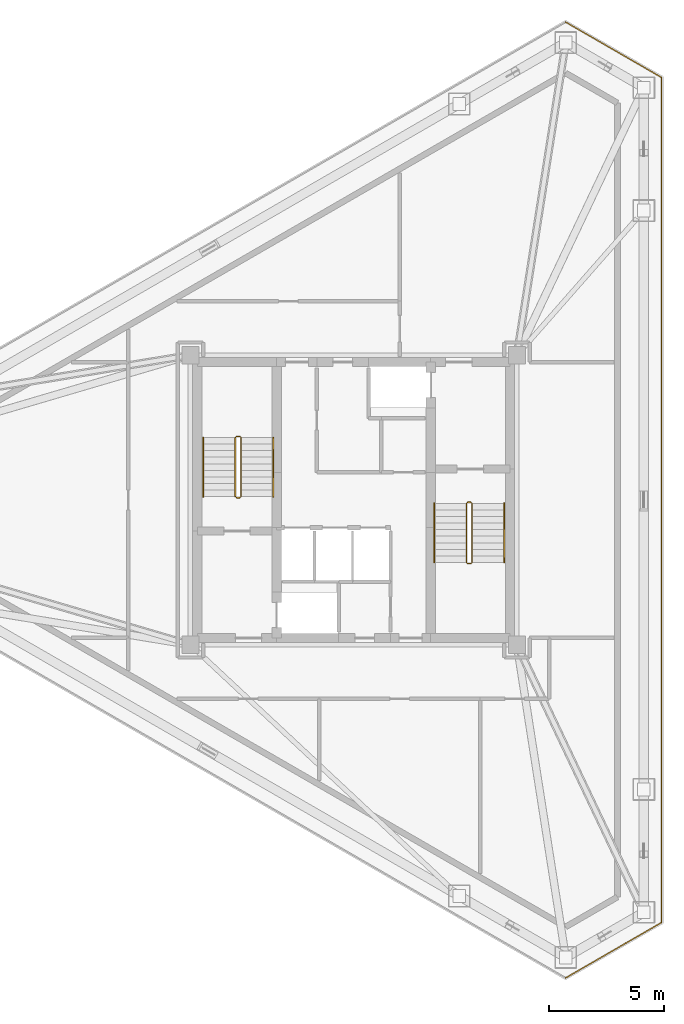
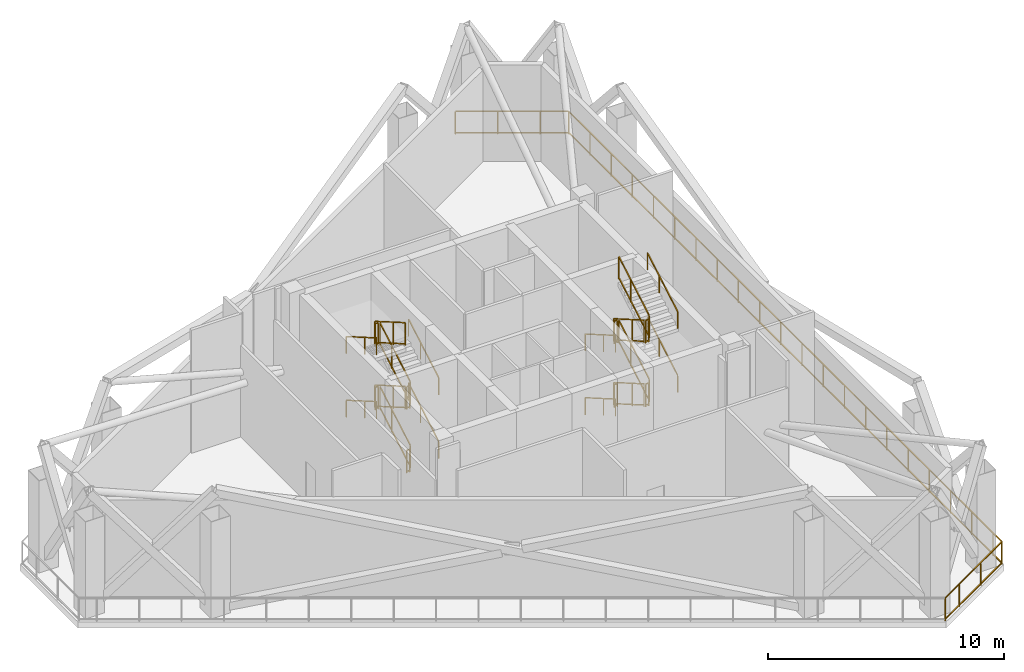
# One storey, part 6 of 6: 27 railings.
"""IFC4 building model written with IfcOpenShell, lengths in metres."""

from ifc_helpers import new_model, si_unit, direction, frame, origin, origin_2d, place, context, subcontext, project, spatial, rectangle, extrude, material, type_object, element, save


model = new_model("IFC4")

# Units and contexts
model_context = context("Model", 3, precision=1e-05, world=origin(), true_north=direction((0.0, 1.0)))
body_context = subcontext(model_context, "Body", "Model", "MODEL_VIEW")
ifc_project = project(units=[si_unit("LENGTHUNIT", "METRE"), si_unit("AREAUNIT", "SQUARE_METRE"), si_unit("VOLUMEUNIT", "CUBIC_METRE"), si_unit("PLANEANGLEUNIT", "RADIAN"), si_unit("MASSUNIT", "GRAM", prefix="KILO")], contexts=[model_context])

# Site, building, storey
site_placement = place(None, origin())
site = spatial("IfcSite", under=ifc_project, at=site_placement, CompositionType="ELEMENT")
building_placement = place(site_placement, origin())
building = spatial("IfcBuilding", under=site, at=building_placement, Name="Mersakhor Tower and Convention Hall", CompositionType="ELEMENT")
storey_placement = place(building_placement, frame((0.0, 0.0, 160.800048828125)))
storey = spatial("IfcBuildingStorey", under=building, at=storey_placement, Name="L45", CompositionType="ELEMENT", Elevation=160.800048828125)

# Railings
ifc_material_1 = material(Name="Powder-coated galvanised steel and laminated glass balustrade", Category="steel")
railing_type_1 = type_object("IfcRailingType", Name="RL-BAL-1200", PredefinedType="BALUSTRADE", material=ifc_material_1)
railing_1_placement = place(storey_placement, frame((38.220458984375, 47.533935546875, 0.0)))
element("IfcRailing", 1, at=railing_1_placement, inside=storey, type_object=railing_type_1, Name="L45 Open Wind Deck Perimeter Balustrade 2", PredefinedType="BALUSTRADE", context=body_context, shape_type="SweptSolid", body=[
    extrude(rectangle(XDim=0.048095703125, YDim=0.048095703125, at=origin_2d()), frame((0.0, 0.0, 1.17578125), z_axis=(0.866031022648, -0.499990267717, 0.0), x_axis=(0.499990267717, 0.866031022648, 0.0)), (0.0, 0.0, 1.0), 4.8134765625),
    extrude(rectangle(XDim=0.048095703125, YDim=0.048095703125, at=origin_2d()), frame((0.0, 0.0, 0.080078125), z_axis=(0.866031022648, -0.499990267717, 0.0), x_axis=(0.499990267717, 0.866031022648, 0.0)), (0.0, 0.0, 1.0), 4.8134765625),
    extrude(rectangle(XDim=0.0419921875, YDim=0.0419921875, at=origin_2d()), origin(), (0.0, 0.0, 1.0), 1.15185546875),
    extrude(rectangle(XDim=0.0419921875, YDim=0.0419921875, at=origin_2d()), frame((1.558837890625, -0.89990234375, 0.0)), (0.0, 0.0, 1.0), 1.15185546875),
    extrude(rectangle(XDim=0.0419921875, YDim=0.0419921875, at=origin_2d()), frame((3.11767578125, -1.800048828125, 0.0)), (0.0, 0.0, 1.0), 1.15185546875),
    extrude(rectangle(XDim=0.0419921875, YDim=0.0419921875, at=origin_2d()), frame((4.168701171875, -2.40673828125, 0.0)), (0.0, 0.0, 1.0), 1.15185546875),
])
railing_2_placement = place(storey_placement, frame((42.38916015625, 45.127197265625, 0.0)))
element("IfcRailing", 2, at=railing_2_placement, inside=storey, type_object=railing_type_1, Name="L45 Open Wind Deck Perimeter Balustrade 3", PredefinedType="BALUSTRADE", context=body_context, shape_type="SweptSolid", body=[
    extrude(rectangle(XDim=0.048095703125, YDim=0.048095703125, at=origin_2d()), frame((0.0, 0.0, 1.17578125), z_axis=(0.0, -1.0, 0.0), x_axis=(1.0, 0.0, 0.0)), (0.0, 0.0, 1.0), 36.75439453125),
    extrude(rectangle(XDim=0.048095703125, YDim=0.048095703125, at=origin_2d()), frame((0.0, 0.0, 0.080078125), z_axis=(0.0, -1.0, 0.0), x_axis=(1.0, 0.0, 0.0)), (0.0, 0.0, 1.0), 36.75439453125),
    extrude(rectangle(XDim=0.0419921875, YDim=0.0419921875, at=origin_2d()), origin(), (0.0, 0.0, 1.0), 1.15185546875),
    extrude(rectangle(XDim=0.0419921875, YDim=0.0419921875, at=origin_2d()), frame((0.0, -1.800048828125, 0.0)), (0.0, 0.0, 1.0), 1.15185546875),
    extrude(rectangle(XDim=0.0419921875, YDim=0.0419921875, at=origin_2d()), frame((0.0, -3.60009765625, 0.0)), (0.0, 0.0, 1.0), 1.15185546875),
    extrude(rectangle(XDim=0.0419921875, YDim=0.0419921875, at=origin_2d()), frame((0.0, -5.39990234375, 0.0)), (0.0, 0.0, 1.0), 1.15185546875),
    extrude(rectangle(XDim=0.0419921875, YDim=0.0419921875, at=origin_2d()), frame((0.0, -7.199951171875, 0.0)), (0.0, 0.0, 1.0), 1.15185546875),
    extrude(rectangle(XDim=0.0419921875, YDim=0.0419921875, at=origin_2d()), frame((0.0, -9.0, 0.0)), (0.0, 0.0, 1.0), 1.15185546875),
    extrude(rectangle(XDim=0.0419921875, YDim=0.0419921875, at=origin_2d()), frame((0.0, -10.800048828125, 0.0)), (0.0, 0.0, 1.0), 1.15185546875),
    extrude(rectangle(XDim=0.0419921875, YDim=0.0419921875, at=origin_2d()), frame((0.0, -12.60009765625, 0.0)), (0.0, 0.0, 1.0), 1.15185546875),
    extrude(rectangle(XDim=0.0419921875, YDim=0.0419921875, at=origin_2d()), frame((0.0, -14.39990234375, 0.0)), (0.0, 0.0, 1.0), 1.15185546875),
    extrude(rectangle(XDim=0.0419921875, YDim=0.0419921875, at=origin_2d()), frame((0.0, -16.199951171875, 0.0)), (0.0, 0.0, 1.0), 1.15185546875),
    extrude(rectangle(XDim=0.0419921875, YDim=0.0419921875, at=origin_2d()), frame((0.0, -18.0, 0.0)), (0.0, 0.0, 1.0), 1.15185546875),
    extrude(rectangle(XDim=0.0419921875, YDim=0.0419921875, at=origin_2d()), frame((0.0, -19.800048828125, 0.0)), (0.0, 0.0, 1.0), 1.15185546875),
    extrude(rectangle(XDim=0.0419921875, YDim=0.0419921875, at=origin_2d()), frame((0.0, -21.60009765625, 0.0)), (0.0, 0.0, 1.0), 1.15185546875),
    extrude(rectangle(XDim=0.0419921875, YDim=0.0419921875, at=origin_2d()), frame((0.0, -23.39990234375, 0.0)), (0.0, 0.0, 1.0), 1.15185546875),
    extrude(rectangle(XDim=0.0419921875, YDim=0.0419921875, at=origin_2d()), frame((0.0, -25.199951171875, 0.0)), (0.0, 0.0, 1.0), 1.15185546875),
    extrude(rectangle(XDim=0.0419921875, YDim=0.0419921875, at=origin_2d()), frame((0.0, -27.0, 0.0)), (0.0, 0.0, 1.0), 1.15185546875),
    extrude(rectangle(XDim=0.0419921875, YDim=0.0419921875, at=origin_2d()), frame((0.0, -28.800048828125, 0.0)), (0.0, 0.0, 1.0), 1.15185546875),
    extrude(rectangle(XDim=0.0419921875, YDim=0.0419921875, at=origin_2d()), frame((0.0, -30.60009765625, 0.0)), (0.0, 0.0, 1.0), 1.15185546875),
    extrude(rectangle(XDim=0.0419921875, YDim=0.0419921875, at=origin_2d()), frame((0.0, -32.39990234375, 0.0)), (0.0, 0.0, 1.0), 1.15185546875),
    extrude(rectangle(XDim=0.0419921875, YDim=0.0419921875, at=origin_2d()), frame((0.0, -34.199951171875, 0.0)), (0.0, 0.0, 1.0), 1.15185546875),
    extrude(rectangle(XDim=0.0419921875, YDim=0.0419921875, at=origin_2d()), frame((0.0, -36.0, 0.0)), (0.0, 0.0, 1.0), 1.15185546875),
    extrude(rectangle(XDim=0.0419921875, YDim=0.0419921875, at=origin_2d()), frame((0.0, -36.75439453125, 0.0)), (0.0, 0.0, 1.0), 1.15185546875),
])
railing_3_placement = place(storey_placement, frame((42.38916015625, 8.372802734375, 0.0)))
element("IfcRailing", 3, at=railing_3_placement, inside=storey, type_object=railing_type_1, Name="L45 Open Wind Deck Perimeter Balustrade 4", PredefinedType="BALUSTRADE", context=body_context, shape_type="SweptSolid", body=[
    extrude(rectangle(XDim=0.048095703125, YDim=0.048095703125, at=origin_2d()), frame((0.0, 0.0, 1.17578125), z_axis=(-0.866031022648, -0.499990267717, 0.0), x_axis=(0.499990267717, -0.866031022648, 0.0)), (0.0, 0.0, 1.0), 4.8134765625),
    extrude(rectangle(XDim=0.048095703125, YDim=0.048095703125, at=origin_2d()), frame((0.0, 0.0, 0.080078125), z_axis=(-0.866031022648, -0.499990267717, 0.0), x_axis=(0.499990267717, -0.866031022648, 0.0)), (0.0, 0.0, 1.0), 4.8134765625),
    extrude(rectangle(XDim=0.0419921875, YDim=0.0419921875, at=origin_2d()), origin(), (0.0, 0.0, 1.0), 1.15185546875),
    extrude(rectangle(XDim=0.0419921875, YDim=0.0419921875, at=origin_2d()), frame((-1.558837890625, -0.89990234375, 0.0)), (0.0, 0.0, 1.0), 1.15185546875),
    extrude(rectangle(XDim=0.0419921875, YDim=0.0419921875, at=origin_2d()), frame((-3.11767578125, -1.800048828125, 0.0)), (0.0, 0.0, 1.0), 1.15185546875),
    extrude(rectangle(XDim=0.0419921875, YDim=0.0419921875, at=origin_2d()), frame((-4.168701171875, -2.40673828125, 0.0)), (0.0, 0.0, 1.0), 1.15185546875),
])
ifc_material_2 = material(Name="Brushed stainless steel handrail", Category="steel")
railing_type_2 = type_object("IfcRailingType", Name="RL-HR-900", PredefinedType="HANDRAIL", material=ifc_material_2)
railing_4_placement = place(storey_placement, frame((25.5, 26.89990234375, 0.1650390625)))
element("IfcRailing", 4, at=railing_4_placement, inside=storey, type_object=railing_type_2, Name="L45 ST-1 stair handrail 1", PredefinedType="HANDRAIL", context=body_context, shape_type="SweptSolid", body=[
    extrude(rectangle(XDim=0.048095703125, YDim=0.048095703125, at=origin_2d()), frame((0.0, 0.0, 0.8759765625), z_axis=(0.0, 0.865461999751, 0.500974577186), x_axis=(-1.0, 0.0, 0.0)), (0.0, 0.0, 1.0), 2.9638671875),
    extrude(rectangle(XDim=0.0419921875, YDim=0.0419921875, at=origin_2d()), origin(), (0.0, 0.0, 1.0), 0.851806640625),
    extrude(rectangle(XDim=0.0419921875, YDim=0.0419921875, at=origin_2d()), frame((0.0, 1.557861328125, 0.90185546875)), (0.0, 0.0, 1.0), 0.851806640625),
    extrude(rectangle(XDim=0.0419921875, YDim=0.0419921875, at=origin_2d()), frame((0.0, 2.565185546875, 1.48486328125)), (0.0, 0.0, 1.0), 0.851806640625),
])
railing_5_placement = place(storey_placement, frame((22.449951171875, 29.465087890625, 1.81494140625)))
element("IfcRailing", 5, at=railing_5_placement, inside=storey, type_object=railing_type_2, Name="L45 ST-1 stair handrail 2", PredefinedType="HANDRAIL", context=body_context, shape_type="SweptSolid", body=[
    extrude(rectangle(XDim=0.048095703125, YDim=0.048095703125, at=origin_2d()), frame((0.0, 0.0, 0.8759765625), z_axis=(0.0, -0.865426285481, 0.501036270542), x_axis=(1.0, 0.0, 0.0)), (0.0, 0.0, 1.0), 2.964111328125),
    extrude(rectangle(XDim=0.0419921875, YDim=0.0419921875, at=origin_2d()), origin(), (0.0, 0.0, 1.0), 0.851806640625),
    extrude(rectangle(XDim=0.0419921875, YDim=0.0419921875, at=origin_2d()), frame((0.0, -1.557861328125, 0.90185546875)), (0.0, 0.0, 1.0), 0.851806640625),
    extrude(rectangle(XDim=0.0419921875, YDim=0.0419921875, at=origin_2d()), frame((0.0, -2.565185546875, 1.485107421875)), (0.0, 0.0, 1.0), 0.851806640625),
])
railing_6_placement = place(storey_placement, frame((25.5, 26.89990234375, 3.46484375)))
element("IfcRailing", 6, at=railing_6_placement, inside=storey, type_object=railing_type_2, Name="L45 ST-1 stair handrail 3", PredefinedType="HANDRAIL", context=body_context, shape_type="SweptSolid", body=[
    extrude(rectangle(XDim=0.048095703125, YDim=0.048095703125, at=origin_2d()), frame((0.0, 0.0, 0.8759765625), z_axis=(0.0, 0.865426285481, 0.501036270542), x_axis=(-1.0, 0.0, 0.0)), (0.0, 0.0, 1.0), 2.964111328125),
    extrude(rectangle(XDim=0.0419921875, YDim=0.0419921875, at=origin_2d()), origin(), (0.0, 0.0, 1.0), 0.851806640625),
    extrude(rectangle(XDim=0.0419921875, YDim=0.0419921875, at=origin_2d()), frame((0.0, 1.557861328125, 0.90185546875)), (0.0, 0.0, 1.0), 0.851806640625),
    extrude(rectangle(XDim=0.0419921875, YDim=0.0419921875, at=origin_2d()), frame((0.0, 2.565185546875, 1.485107421875)), (0.0, 0.0, 1.0), 0.851806640625),
])
for number, where, name in (
    (7, (22.449951171875, 29.465087890625, 5.114990234375), "L45 ST-1 stair handrail 4"),
    (8, (32.5, 26.60009765625, 0.1650390625), "L45 ST-2 stair handrail 1"),
):
    element("IfcRailing", number, at=place(storey_placement, frame(where)), inside=storey, type_object=railing_type_2, Name=name, PredefinedType="HANDRAIL", context=body_context, shape_type="SweptSolid", body=[
        extrude(rectangle(XDim=0.048095703125, YDim=0.048095703125, at=origin_2d()), frame((0.0, 0.0, 0.8759765625), z_axis=(0.0, -0.865461999751, 0.500974577186), x_axis=(1.0, 0.0, 0.0)), (0.0, 0.0, 1.0), 2.9638671875),
        extrude(rectangle(XDim=0.0419921875, YDim=0.0419921875, at=origin_2d()), origin(), (0.0, 0.0, 1.0), 0.851806640625),
        extrude(rectangle(XDim=0.0419921875, YDim=0.0419921875, at=origin_2d()), frame((0.0, -1.557861328125, 0.90185546875)), (0.0, 0.0, 1.0), 0.851806640625),
        extrude(rectangle(XDim=0.0419921875, YDim=0.0419921875, at=origin_2d()), frame((0.0, -2.565185546875, 1.48486328125)), (0.0, 0.0, 1.0), 0.851806640625),
    ])
railing_7_placement = place(storey_placement, frame((35.550048828125, 24.034912109375, 1.81494140625)))
element("IfcRailing", 9, at=railing_7_placement, inside=storey, type_object=railing_type_2, Name="L45 ST-2 stair handrail 2", PredefinedType="HANDRAIL", context=body_context, shape_type="SweptSolid", body=[
    extrude(rectangle(XDim=0.048095703125, YDim=0.048095703125, at=origin_2d()), frame((0.0, 0.0, 0.8759765625), z_axis=(0.0, 0.865426285481, 0.501036270542), x_axis=(-1.0, 0.0, 0.0)), (0.0, 0.0, 1.0), 2.964111328125),
    extrude(rectangle(XDim=0.0419921875, YDim=0.0419921875, at=origin_2d()), origin(), (0.0, 0.0, 1.0), 0.851806640625),
    extrude(rectangle(XDim=0.0419921875, YDim=0.0419921875, at=origin_2d()), frame((0.0, 1.557861328125, 0.90185546875)), (0.0, 0.0, 1.0), 0.851806640625),
    extrude(rectangle(XDim=0.0419921875, YDim=0.0419921875, at=origin_2d()), frame((0.0, 2.565185546875, 1.485107421875)), (0.0, 0.0, 1.0), 0.851806640625),
])
railing_8_placement = place(storey_placement, frame((32.5, 26.60009765625, 3.46484375)))
element("IfcRailing", 10, at=railing_8_placement, inside=storey, type_object=railing_type_2, Name="L45 ST-2 stair handrail 3", PredefinedType="HANDRAIL", context=body_context, shape_type="SweptSolid", body=[
    extrude(rectangle(XDim=0.048095703125, YDim=0.048095703125, at=origin_2d()), frame((0.0, 0.0, 0.8759765625), z_axis=(0.0, -0.865426285481, 0.501036270542), x_axis=(1.0, 0.0, 0.0)), (0.0, 0.0, 1.0), 2.964111328125),
    extrude(rectangle(XDim=0.0419921875, YDim=0.0419921875, at=origin_2d()), origin(), (0.0, 0.0, 1.0), 0.851806640625),
    extrude(rectangle(XDim=0.0419921875, YDim=0.0419921875, at=origin_2d()), frame((0.0, -1.557861328125, 0.90185546875)), (0.0, 0.0, 1.0), 0.851806640625),
    extrude(rectangle(XDim=0.0419921875, YDim=0.0419921875, at=origin_2d()), frame((0.0, -2.565185546875, 1.485107421875)), (0.0, 0.0, 1.0), 0.851806640625),
])
railing_9_placement = place(storey_placement, frame((35.550048828125, 24.034912109375, 5.114990234375)))
element("IfcRailing", 11, at=railing_9_placement, inside=storey, type_object=railing_type_2, Name="L45 ST-2 stair handrail 4", PredefinedType="HANDRAIL", context=body_context, shape_type="SweptSolid", body=[
    extrude(rectangle(XDim=0.048095703125, YDim=0.048095703125, at=origin_2d()), frame((0.0, 0.0, 0.8759765625), z_axis=(0.0, 0.865461999751, 0.500974577186), x_axis=(-1.0, 0.0, 0.0)), (0.0, 0.0, 1.0), 2.9638671875),
    extrude(rectangle(XDim=0.0419921875, YDim=0.0419921875, at=origin_2d()), origin(), (0.0, 0.0, 1.0), 0.851806640625),
    extrude(rectangle(XDim=0.0419921875, YDim=0.0419921875, at=origin_2d()), frame((0.0, 1.557861328125, 0.90185546875)), (0.0, 0.0, 1.0), 0.851806640625),
    extrude(rectangle(XDim=0.0419921875, YDim=0.0419921875, at=origin_2d()), frame((0.0, 2.565185546875, 1.48486328125)), (0.0, 0.0, 1.0), 0.851806640625),
])
ifc_material_3 = material(Name="Painted steel stair balustrade S355", Category="steel")
railing_type_3 = type_object("IfcRailingType", Name="RL-STG-1200", PredefinedType="BALUSTRADE", material=ifc_material_3)
railing_10_placement = place(storey_placement, frame((24.10009765625, 26.89990234375, 0.1650390625)))
element("IfcRailing", 12, at=railing_10_placement, inside=storey, type_object=railing_type_3, Name="L45 ST-1 stair guard 1", PredefinedType="BALUSTRADE", context=body_context, shape_type="SweptSolid", body=[
    extrude(rectangle(XDim=0.048095703125, YDim=0.048095703125, at=origin_2d()), frame((0.0, 0.0, 1.17578125), z_axis=(0.0, 0.865461999751, 0.500974577186), x_axis=(-1.0, 0.0, 0.0)), (0.0, 0.0, 1.0), 2.9638671875),
    extrude(rectangle(XDim=0.048095703125, YDim=0.048095703125, at=origin_2d()), frame((0.0, 0.0, 0.080078125), z_axis=(0.0, 0.865461999751, 0.500974577186), x_axis=(-1.0, 0.0, 0.0)), (0.0, 0.0, 1.0), 2.9638671875),
    extrude(rectangle(XDim=0.0419921875, YDim=0.0419921875, at=origin_2d()), origin(), (0.0, 0.0, 1.0), 1.15185546875),
    extrude(rectangle(XDim=0.0419921875, YDim=0.0419921875, at=origin_2d()), frame((0.0, 1.557861328125, 0.90185546875)), (0.0, 0.0, 1.0), 1.15185546875),
    extrude(rectangle(XDim=0.0419921875, YDim=0.0419921875, at=origin_2d()), frame((0.0, 2.565185546875, 1.48486328125)), (0.0, 0.0, 1.0), 1.15185546875),
])
railing_11_placement = place(storey_placement, frame((24.050048828125, 29.514892578125, 1.64990234375)))
element("IfcRailing", 13, at=railing_11_placement, inside=storey, type_object=railing_type_3, Name="L45 ST-1 stair guard 2", PredefinedType="BALUSTRADE", context=body_context, shape_type="SweptSolid", body=[
    extrude(rectangle(XDim=0.048095703125, YDim=0.048095703125, at=origin_2d()), frame((0.0, 0.0, 1.17578125), z_axis=(-1.0, 0.0, 0.0), x_axis=(0.0, -1.0, 0.0)), (0.0, 0.0, 1.0), 0.150146484375),
    extrude(rectangle(XDim=0.048095703125, YDim=0.048095703125, at=origin_2d()), frame((0.0, 0.0, 0.080078125), z_axis=(-1.0, 0.0, 0.0), x_axis=(0.0, -1.0, 0.0)), (0.0, 0.0, 1.0), 0.150146484375),
    extrude(rectangle(XDim=0.0419921875, YDim=0.0419921875, at=origin_2d()), origin(), (0.0, 0.0, 1.0), 1.15185546875),
    extrude(rectangle(XDim=0.0419921875, YDim=0.0419921875, at=origin_2d()), frame((-0.150146484375, 0.0, 0.0)), (0.0, 0.0, 1.0), 1.15185546875),
])
railing_12_placement = place(storey_placement, frame((23.85009765625, 29.465087890625, 1.81494140625)))
element("IfcRailing", 14, at=railing_12_placement, inside=storey, type_object=railing_type_3, Name="L45 ST-1 stair guard 3", PredefinedType="BALUSTRADE", context=body_context, shape_type="SweptSolid", body=[
    extrude(rectangle(XDim=0.048095703125, YDim=0.048095703125, at=origin_2d()), frame((0.0, 0.0, 1.17578125), z_axis=(0.0, -0.865426285481, 0.501036270542), x_axis=(1.0, 0.0, 0.0)), (0.0, 0.0, 1.0), 2.964111328125),
    extrude(rectangle(XDim=0.048095703125, YDim=0.048095703125, at=origin_2d()), frame((0.0, 0.0, 0.080078125), z_axis=(0.0, -0.865426285481, 0.501036270542), x_axis=(1.0, 0.0, 0.0)), (0.0, 0.0, 1.0), 2.964111328125),
    extrude(rectangle(XDim=0.0419921875, YDim=0.0419921875, at=origin_2d()), origin(), (0.0, 0.0, 1.0), 1.15185546875),
    extrude(rectangle(XDim=0.0419921875, YDim=0.0419921875, at=origin_2d()), frame((0.0, -1.557861328125, 0.90185546875)), (0.0, 0.0, 1.0), 1.15185546875),
    extrude(rectangle(XDim=0.0419921875, YDim=0.0419921875, at=origin_2d()), frame((0.0, -2.565185546875, 1.485107421875)), (0.0, 0.0, 1.0), 1.15185546875),
])
railing_13_placement = place(storey_placement, frame((24.050048828125, 26.85009765625, 3.300048828125)))
element("IfcRailing", 15, at=railing_13_placement, inside=storey, type_object=railing_type_3, Name="L45 ST-1 stair guard 4", PredefinedType="BALUSTRADE", context=body_context, shape_type="SweptSolid", body=[
    extrude(rectangle(XDim=0.048095703125, YDim=0.048095703125, at=origin_2d()), frame((0.0, 0.0, 1.17578125), z_axis=(-1.0, 0.0, 0.0), x_axis=(0.0, -1.0, 0.0)), (0.0, 0.0, 1.0), 0.150146484375),
    extrude(rectangle(XDim=0.048095703125, YDim=0.048095703125, at=origin_2d()), frame((0.0, 0.0, 0.080078125), z_axis=(-1.0, 0.0, 0.0), x_axis=(0.0, -1.0, 0.0)), (0.0, 0.0, 1.0), 0.150146484375),
    extrude(rectangle(XDim=0.0419921875, YDim=0.0419921875, at=origin_2d()), origin(), (0.0, 0.0, 1.0), 1.15185546875),
    extrude(rectangle(XDim=0.0419921875, YDim=0.0419921875, at=origin_2d()), frame((-0.150146484375, 0.0, 0.0)), (0.0, 0.0, 1.0), 1.15185546875),
])
railing_14_placement = place(storey_placement, frame((24.10009765625, 26.89990234375, 3.46484375)))
element("IfcRailing", 16, at=railing_14_placement, inside=storey, type_object=railing_type_3, Name="L45 ST-1 stair guard 5", PredefinedType="BALUSTRADE", context=body_context, shape_type="SweptSolid", body=[
    extrude(rectangle(XDim=0.048095703125, YDim=0.048095703125, at=origin_2d()), frame((0.0, 0.0, 1.17578125), z_axis=(0.0, 0.865426285481, 0.501036270542), x_axis=(-1.0, 0.0, 0.0)), (0.0, 0.0, 1.0), 2.964111328125),
    extrude(rectangle(XDim=0.048095703125, YDim=0.048095703125, at=origin_2d()), frame((0.0, 0.0, 0.080078125), z_axis=(0.0, 0.865426285481, 0.501036270542), x_axis=(-1.0, 0.0, 0.0)), (0.0, 0.0, 1.0), 2.964111328125),
    extrude(rectangle(XDim=0.0419921875, YDim=0.0419921875, at=origin_2d()), origin(), (0.0, 0.0, 1.0), 1.15185546875),
    extrude(rectangle(XDim=0.0419921875, YDim=0.0419921875, at=origin_2d()), frame((0.0, 1.557861328125, 0.90185546875)), (0.0, 0.0, 1.0), 1.15185546875),
    extrude(rectangle(XDim=0.0419921875, YDim=0.0419921875, at=origin_2d()), frame((0.0, 2.565185546875, 1.485107421875)), (0.0, 0.0, 1.0), 1.15185546875),
])
railing_15_placement = place(storey_placement, frame((24.050048828125, 29.514892578125, 4.949951171875)))
element("IfcRailing", 17, at=railing_15_placement, inside=storey, type_object=railing_type_3, Name="L45 ST-1 stair guard 6", PredefinedType="BALUSTRADE", context=body_context, shape_type="SweptSolid", body=[
    extrude(rectangle(XDim=0.048095703125, YDim=0.048095703125, at=origin_2d()), frame((0.0, 0.0, 1.17578125), z_axis=(-1.0, 0.0, 0.0), x_axis=(0.0, -1.0, 0.0)), (0.0, 0.0, 1.0), 0.150146484375),
    extrude(rectangle(XDim=0.048095703125, YDim=0.048095703125, at=origin_2d()), frame((0.0, 0.0, 0.080078125), z_axis=(-1.0, 0.0, 0.0), x_axis=(0.0, -1.0, 0.0)), (0.0, 0.0, 1.0), 0.150146484375),
    extrude(rectangle(XDim=0.0419921875, YDim=0.0419921875, at=origin_2d()), origin(), (0.0, 0.0, 1.0), 1.15185546875),
    extrude(rectangle(XDim=0.0419921875, YDim=0.0419921875, at=origin_2d()), frame((-0.150146484375, 0.0, 0.0)), (0.0, 0.0, 1.0), 1.15185546875),
])
railing_16_placement = place(storey_placement, frame((23.85009765625, 29.465087890625, 5.114990234375)))
element("IfcRailing", 18, at=railing_16_placement, inside=storey, type_object=railing_type_3, Name="L45 ST-1 stair guard 7", PredefinedType="BALUSTRADE", context=body_context, shape_type="SweptSolid", body=[
    extrude(rectangle(XDim=0.048095703125, YDim=0.048095703125, at=origin_2d()), frame((0.0, 0.0, 1.17578125), z_axis=(0.0, -0.865461999751, 0.500974577186), x_axis=(1.0, 0.0, 0.0)), (0.0, 0.0, 1.0), 2.9638671875),
    extrude(rectangle(XDim=0.048095703125, YDim=0.048095703125, at=origin_2d()), frame((0.0, 0.0, 0.080078125), z_axis=(0.0, -0.865461999751, 0.500974577186), x_axis=(1.0, 0.0, 0.0)), (0.0, 0.0, 1.0), 2.9638671875),
    extrude(rectangle(XDim=0.0419921875, YDim=0.0419921875, at=origin_2d()), origin(), (0.0, 0.0, 1.0), 1.15185546875),
    extrude(rectangle(XDim=0.0419921875, YDim=0.0419921875, at=origin_2d()), frame((0.0, -1.557861328125, 0.90185546875)), (0.0, 0.0, 1.0), 1.15185546875),
    extrude(rectangle(XDim=0.0419921875, YDim=0.0419921875, at=origin_2d()), frame((0.0, -2.565185546875, 1.48486328125)), (0.0, 0.0, 1.0), 1.15185546875),
])
railing_17_placement = place(storey_placement, frame((24.050048828125, 26.85009765625, 0.0)))
element("IfcRailing", 19, at=railing_17_placement, inside=storey, type_object=railing_type_3, Name="L45 ST-1 stair guard 8", PredefinedType="BALUSTRADE", context=body_context, shape_type="SweptSolid", body=[
    extrude(rectangle(XDim=0.048095703125, YDim=0.048095703125, at=origin_2d()), frame((0.0, 0.0, 1.17578125), z_axis=(-1.0, 0.0, 0.0), x_axis=(0.0, -1.0, 0.0)), (0.0, 0.0, 1.0), 0.150146484375),
    extrude(rectangle(XDim=0.048095703125, YDim=0.048095703125, at=origin_2d()), frame((0.0, 0.0, 0.080078125), z_axis=(-1.0, 0.0, 0.0), x_axis=(0.0, -1.0, 0.0)), (0.0, 0.0, 1.0), 0.150146484375),
    extrude(rectangle(XDim=0.0419921875, YDim=0.0419921875, at=origin_2d()), origin(), (0.0, 0.0, 1.0), 1.15185546875),
    extrude(rectangle(XDim=0.0419921875, YDim=0.0419921875, at=origin_2d()), frame((-0.150146484375, 0.0, 0.0)), (0.0, 0.0, 1.0), 1.15185546875),
])
railing_18_placement = place(storey_placement, frame((33.89990234375, 26.60009765625, 0.1650390625)))
element("IfcRailing", 20, at=railing_18_placement, inside=storey, type_object=railing_type_3, Name="L45 ST-2 stair guard 1", PredefinedType="BALUSTRADE", context=body_context, shape_type="SweptSolid", body=[
    extrude(rectangle(XDim=0.048095703125, YDim=0.048095703125, at=origin_2d()), frame((0.0, 0.0, 1.17578125), z_axis=(0.0, -0.865461999751, 0.500974577186), x_axis=(1.0, 0.0, 0.0)), (0.0, 0.0, 1.0), 2.9638671875),
    extrude(rectangle(XDim=0.048095703125, YDim=0.048095703125, at=origin_2d()), frame((0.0, 0.0, 0.080078125), z_axis=(0.0, -0.865461999751, 0.500974577186), x_axis=(1.0, 0.0, 0.0)), (0.0, 0.0, 1.0), 2.9638671875),
    extrude(rectangle(XDim=0.0419921875, YDim=0.0419921875, at=origin_2d()), origin(), (0.0, 0.0, 1.0), 1.15185546875),
    extrude(rectangle(XDim=0.0419921875, YDim=0.0419921875, at=origin_2d()), frame((0.0, -1.557861328125, 0.90185546875)), (0.0, 0.0, 1.0), 1.15185546875),
    extrude(rectangle(XDim=0.0419921875, YDim=0.0419921875, at=origin_2d()), frame((0.0, -2.565185546875, 1.48486328125)), (0.0, 0.0, 1.0), 1.15185546875),
])
railing_19_placement = place(storey_placement, frame((33.949951171875, 23.985107421875, 1.64990234375)))
element("IfcRailing", 21, at=railing_19_placement, inside=storey, type_object=railing_type_3, Name="L45 ST-2 stair guard 2", PredefinedType="BALUSTRADE", context=body_context, shape_type="SweptSolid", body=[
    extrude(rectangle(XDim=0.048095703125, YDim=0.048095703125, at=origin_2d()), frame((0.0, 0.0, 1.17578125), z_axis=(1.0, 0.0, 0.0), x_axis=(0.0, 1.0, 0.0)), (0.0, 0.0, 1.0), 0.150146484375),
    extrude(rectangle(XDim=0.048095703125, YDim=0.048095703125, at=origin_2d()), frame((0.0, 0.0, 0.080078125), z_axis=(1.0, 0.0, 0.0), x_axis=(0.0, 1.0, 0.0)), (0.0, 0.0, 1.0), 0.150146484375),
    extrude(rectangle(XDim=0.0419921875, YDim=0.0419921875, at=origin_2d()), origin(), (0.0, 0.0, 1.0), 1.15185546875),
    extrude(rectangle(XDim=0.0419921875, YDim=0.0419921875, at=origin_2d()), frame((0.150146484375, 0.0, 0.0)), (0.0, 0.0, 1.0), 1.15185546875),
])
railing_20_placement = place(storey_placement, frame((34.14990234375, 24.034912109375, 1.81494140625)))
element("IfcRailing", 22, at=railing_20_placement, inside=storey, type_object=railing_type_3, Name="L45 ST-2 stair guard 3", PredefinedType="BALUSTRADE", context=body_context, shape_type="SweptSolid", body=[
    extrude(rectangle(XDim=0.048095703125, YDim=0.048095703125, at=origin_2d()), frame((0.0, 0.0, 1.17578125), z_axis=(0.0, 0.865426285481, 0.501036270542), x_axis=(-1.0, 0.0, 0.0)), (0.0, 0.0, 1.0), 2.964111328125),
    extrude(rectangle(XDim=0.048095703125, YDim=0.048095703125, at=origin_2d()), frame((0.0, 0.0, 0.080078125), z_axis=(0.0, 0.865426285481, 0.501036270542), x_axis=(-1.0, 0.0, 0.0)), (0.0, 0.0, 1.0), 2.964111328125),
    extrude(rectangle(XDim=0.0419921875, YDim=0.0419921875, at=origin_2d()), origin(), (0.0, 0.0, 1.0), 1.15185546875),
    extrude(rectangle(XDim=0.0419921875, YDim=0.0419921875, at=origin_2d()), frame((0.0, 1.557861328125, 0.90185546875)), (0.0, 0.0, 1.0), 1.15185546875),
    extrude(rectangle(XDim=0.0419921875, YDim=0.0419921875, at=origin_2d()), frame((0.0, 2.565185546875, 1.485107421875)), (0.0, 0.0, 1.0), 1.15185546875),
])
railing_21_placement = place(storey_placement, frame((33.949951171875, 26.64990234375, 3.300048828125)))
element("IfcRailing", 23, at=railing_21_placement, inside=storey, type_object=railing_type_3, Name="L45 ST-2 stair guard 4", PredefinedType="BALUSTRADE", context=body_context, shape_type="SweptSolid", body=[
    extrude(rectangle(XDim=0.048095703125, YDim=0.048095703125, at=origin_2d()), frame((0.0, 0.0, 1.17578125), z_axis=(1.0, 0.0, 0.0), x_axis=(0.0, 1.0, 0.0)), (0.0, 0.0, 1.0), 0.150146484375),
    extrude(rectangle(XDim=0.048095703125, YDim=0.048095703125, at=origin_2d()), frame((0.0, 0.0, 0.080078125), z_axis=(1.0, 0.0, 0.0), x_axis=(0.0, 1.0, 0.0)), (0.0, 0.0, 1.0), 0.150146484375),
    extrude(rectangle(XDim=0.0419921875, YDim=0.0419921875, at=origin_2d()), origin(), (0.0, 0.0, 1.0), 1.15185546875),
    extrude(rectangle(XDim=0.0419921875, YDim=0.0419921875, at=origin_2d()), frame((0.150146484375, 0.0, 0.0)), (0.0, 0.0, 1.0), 1.15185546875),
])
railing_22_placement = place(storey_placement, frame((33.89990234375, 26.60009765625, 3.46484375)))
element("IfcRailing", 24, at=railing_22_placement, inside=storey, type_object=railing_type_3, Name="L45 ST-2 stair guard 5", PredefinedType="BALUSTRADE", context=body_context, shape_type="SweptSolid", body=[
    extrude(rectangle(XDim=0.048095703125, YDim=0.048095703125, at=origin_2d()), frame((0.0, 0.0, 1.17578125), z_axis=(0.0, -0.865426285481, 0.501036270542), x_axis=(1.0, 0.0, 0.0)), (0.0, 0.0, 1.0), 2.964111328125),
    extrude(rectangle(XDim=0.048095703125, YDim=0.048095703125, at=origin_2d()), frame((0.0, 0.0, 0.080078125), z_axis=(0.0, -0.865426285481, 0.501036270542), x_axis=(1.0, 0.0, 0.0)), (0.0, 0.0, 1.0), 2.964111328125),
    extrude(rectangle(XDim=0.0419921875, YDim=0.0419921875, at=origin_2d()), origin(), (0.0, 0.0, 1.0), 1.15185546875),
    extrude(rectangle(XDim=0.0419921875, YDim=0.0419921875, at=origin_2d()), frame((0.0, -1.557861328125, 0.90185546875)), (0.0, 0.0, 1.0), 1.15185546875),
    extrude(rectangle(XDim=0.0419921875, YDim=0.0419921875, at=origin_2d()), frame((0.0, -2.565185546875, 1.485107421875)), (0.0, 0.0, 1.0), 1.15185546875),
])
railing_23_placement = place(storey_placement, frame((33.949951171875, 23.985107421875, 4.949951171875)))
element("IfcRailing", 25, at=railing_23_placement, inside=storey, type_object=railing_type_3, Name="L45 ST-2 stair guard 6", PredefinedType="BALUSTRADE", context=body_context, shape_type="SweptSolid", body=[
    extrude(rectangle(XDim=0.048095703125, YDim=0.048095703125, at=origin_2d()), frame((0.0, 0.0, 1.17578125), z_axis=(1.0, 0.0, 0.0), x_axis=(0.0, 1.0, 0.0)), (0.0, 0.0, 1.0), 0.150146484375),
    extrude(rectangle(XDim=0.048095703125, YDim=0.048095703125, at=origin_2d()), frame((0.0, 0.0, 0.080078125), z_axis=(1.0, 0.0, 0.0), x_axis=(0.0, 1.0, 0.0)), (0.0, 0.0, 1.0), 0.150146484375),
    extrude(rectangle(XDim=0.0419921875, YDim=0.0419921875, at=origin_2d()), origin(), (0.0, 0.0, 1.0), 1.15185546875),
    extrude(rectangle(XDim=0.0419921875, YDim=0.0419921875, at=origin_2d()), frame((0.150146484375, 0.0, 0.0)), (0.0, 0.0, 1.0), 1.15185546875),
])
railing_24_placement = place(storey_placement, frame((34.14990234375, 24.034912109375, 5.114990234375)))
element("IfcRailing", 26, at=railing_24_placement, inside=storey, type_object=railing_type_3, Name="L45 ST-2 stair guard 7", PredefinedType="BALUSTRADE", context=body_context, shape_type="SweptSolid", body=[
    extrude(rectangle(XDim=0.048095703125, YDim=0.048095703125, at=origin_2d()), frame((0.0, 0.0, 1.17578125), z_axis=(0.0, 0.865461999751, 0.500974577186), x_axis=(-1.0, 0.0, 0.0)), (0.0, 0.0, 1.0), 2.9638671875),
    extrude(rectangle(XDim=0.048095703125, YDim=0.048095703125, at=origin_2d()), frame((0.0, 0.0, 0.080078125), z_axis=(0.0, 0.865461999751, 0.500974577186), x_axis=(-1.0, 0.0, 0.0)), (0.0, 0.0, 1.0), 2.9638671875),
    extrude(rectangle(XDim=0.0419921875, YDim=0.0419921875, at=origin_2d()), origin(), (0.0, 0.0, 1.0), 1.15185546875),
    extrude(rectangle(XDim=0.0419921875, YDim=0.0419921875, at=origin_2d()), frame((0.0, 1.557861328125, 0.90185546875)), (0.0, 0.0, 1.0), 1.15185546875),
    extrude(rectangle(XDim=0.0419921875, YDim=0.0419921875, at=origin_2d()), frame((0.0, 2.565185546875, 1.48486328125)), (0.0, 0.0, 1.0), 1.15185546875),
])
railing_25_placement = place(storey_placement, frame((33.949951171875, 26.64990234375, 0.0)))
element("IfcRailing", 27, at=railing_25_placement, inside=storey, type_object=railing_type_3, Name="L45 ST-2 stair guard 8", PredefinedType="BALUSTRADE", context=body_context, shape_type="SweptSolid", body=[
    extrude(rectangle(XDim=0.048095703125, YDim=0.048095703125, at=origin_2d()), frame((0.0, 0.0, 1.17578125), z_axis=(1.0, 0.0, 0.0), x_axis=(0.0, 1.0, 0.0)), (0.0, 0.0, 1.0), 0.150146484375),
    extrude(rectangle(XDim=0.048095703125, YDim=0.048095703125, at=origin_2d()), frame((0.0, 0.0, 0.080078125), z_axis=(1.0, 0.0, 0.0), x_axis=(0.0, 1.0, 0.0)), (0.0, 0.0, 1.0), 0.150146484375),
    extrude(rectangle(XDim=0.0419921875, YDim=0.0419921875, at=origin_2d()), origin(), (0.0, 0.0, 1.0), 1.15185546875),
    extrude(rectangle(XDim=0.0419921875, YDim=0.0419921875, at=origin_2d()), frame((0.150146484375, 0.0, 0.0)), (0.0, 0.0, 1.0), 1.15185546875),
])

save(model, "model.ifc")
